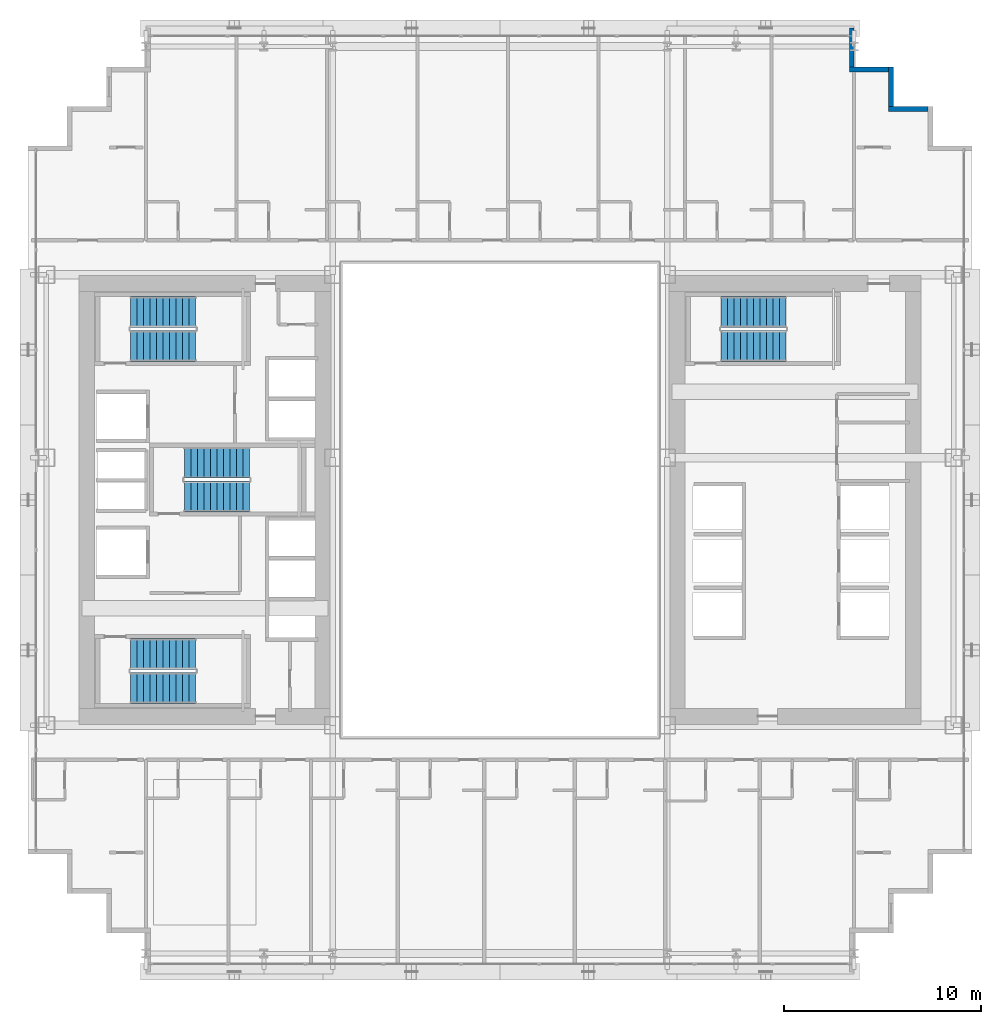
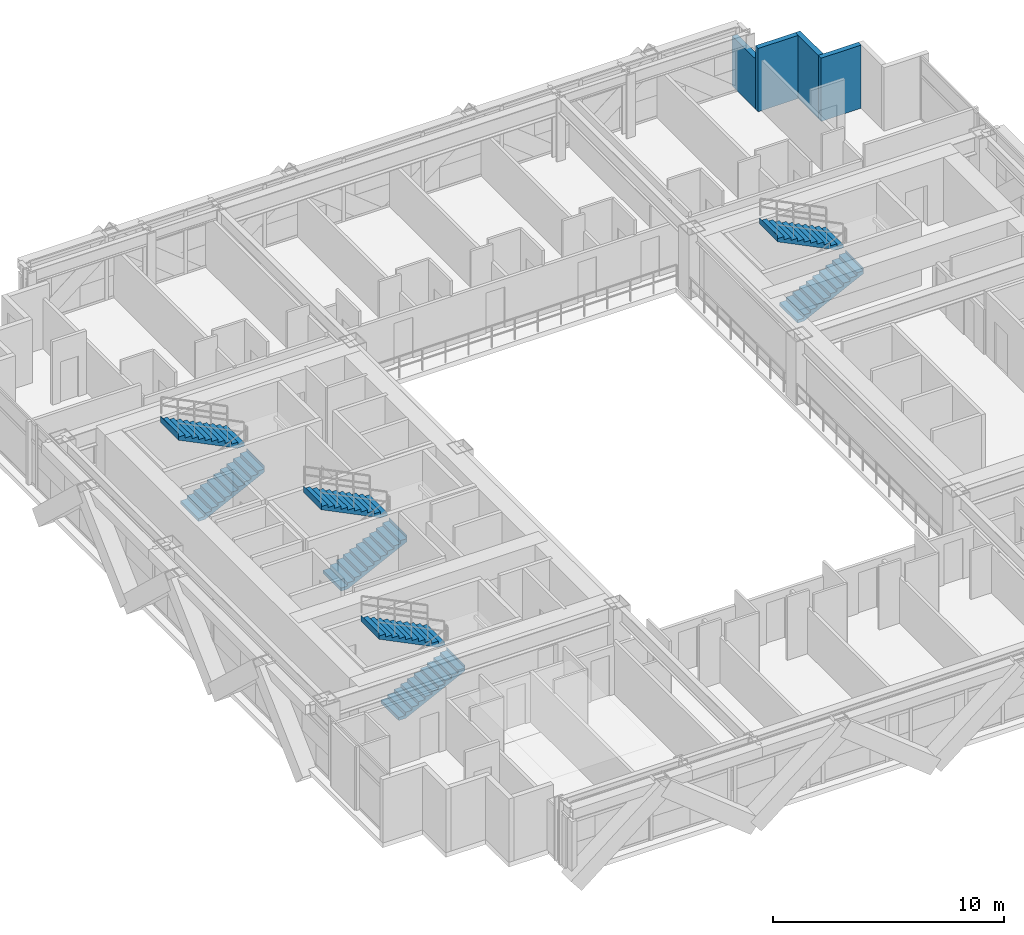
# One storey, part 32 of 36: 8 stair flights, 4 walls, 4 elements without a shape of their own.
"""IFC4 building model written with IfcOpenShell, lengths in metres."""

from ifc_helpers import new_model, si_unit, direction, frame, frame_2d, origin, place, context, subcontext, project, spatial, polyline, rectangle, outline, extrude, source, transform, mapped, material, layer, layer_set, type_object, element, aggregate, save


model = new_model("IFC4")

# Units and contexts
model_context = context("Model", 3, precision=1e-05, world=origin(), true_north=direction((0.0, 1.0)))
body_context = subcontext(model_context, "Body", "Model", "MODEL_VIEW")
ifc_project = project(units=[si_unit("LENGTHUNIT", "METRE"), si_unit("AREAUNIT", "SQUARE_METRE"), si_unit("VOLUMEUNIT", "CUBIC_METRE"), si_unit("PLANEANGLEUNIT", "RADIAN"), si_unit("MASSUNIT", "GRAM", prefix="KILO")], contexts=[model_context])

# Site, building, storey
site_placement = place(None, origin())
site = spatial("IfcSite", under=ifc_project, at=site_placement, CompositionType="ELEMENT")
building_placement = place(site_placement, origin())
building = spatial("IfcBuilding", under=site, at=building_placement, Name="Ocotamira Hotel", CompositionType="ELEMENT")
storey_placement = place(building_placement, frame((0.0, 0.0, 42.0)))
storey = spatial("IfcBuildingStorey", under=building, at=storey_placement, Name="L09", CompositionType="ELEMENT", Elevation=42.0)

# Walls
ifc_material_1 = material(Name="Precast concrete C45/55", Category="concrete")
ifc_layer = layer(ifc_material_1, 0.25)
ifc_layer_set = layer_set([ifc_layer], Name="Precast concrete C45/55")
wall_type = type_object("IfcWallType", Name="WL-EXT-SER-250", PredefinedType="SOLIDWALL", material=ifc_layer_set)
for number, where, z_axis, x_axis, name in (
    (1, (53.75, 45.875, 0.0), (0.0, 0.0, 1.0), (-1.0, 0.0, 0.0), "L09 Serrated Corner Wall 09"),
    (2, (51.875, 46.0, 0.0), (0.0, 0.0, 1.0), (0.0, 1.0, 0.0), "L09 Serrated Corner Wall 10"),
    (3, (51.75, 47.875, 0.0), (0.0, 0.0, 1.0), (-1.0, 0.0, 0.0), "L09 Serrated Corner Wall 11"),
):
    element("IfcWall", number, at=place(storey_placement, frame(where, z_axis=z_axis, x_axis=x_axis)), inside=storey, type_object=wall_type, Name=name, PredefinedType="SOLIDWALL", context=body_context, shape_type="SweptSolid", body=[
        extrude(rectangle(XDim=2.0, YDim=0.25, at=frame_2d((1.0, 0.0))), origin(), (0.0, 0.0, 1.0), 3.35009765625),
    ])
wall_placement = place(storey_placement, frame((49.875, 48.0, 0.0), z_axis=(0.0, 0.0, 1.0), x_axis=(0.0, 1.0, 0.0)))
element("IfcWall", 4, at=wall_placement, inside=storey, type_object=wall_type, Name="L09 Serrated Corner Wall 12", PredefinedType="SOLIDWALL", context=body_context, shape_type="SweptSolid", body=[
    extrude(rectangle(XDim=2.0, YDim=0.25, at=frame_2d((1.0, 0.0))), origin(), (0.0, 0.0, 1.0), 2.656982421875),
])

# Stair, stair flights
ifc_material_2 = material(Name="Concrete C40/50", Category="concrete")
stair_type = type_object("IfcStairType", Name="ST-CORE-1560", PredefinedType="HALF_TURN_STAIR", material=ifc_material_2)
stair_1_placement = place(storey_placement, origin())
stair_1 = element("IfcStair", 5, at=stair_1_placement, inside=storey, type_object=stair_type, Name="L09 Exit Stair ST-1", PredefinedType="HALF_TURN_STAIR")
stair_flight_type = type_object("IfcStairFlightType", Name="STF-CORE-1560", PredefinedType="STRAIGHT", material=ifc_material_2)
shared_shape = source(origin(), body_context, "Body", "SweptSolid", [
    extrude(outline(polyline([(-0.00390625, 0.0), (-0.00390625, 0.16357421875), (0.330078125, 0.16357421875), (0.330078125, 0.327392578125), (0.659912109375, 0.327392578125), (0.659912109375, 0.490966796875), (0.989990234375, 0.490966796875), (0.989990234375, 0.654541015625), (1.320068359375, 0.654541015625), (1.320068359375, 0.818115234375), (1.64990234375, 0.818115234375), (1.64990234375, 0.98193359375), (1.97998046875, 0.98193359375), (1.97998046875, 1.1455078125), (2.31005859375, 1.1455078125), (2.31005859375, 1.30908203125), (2.639892578125, 1.30908203125), (2.639892578125, 1.47265625), (2.969970703125, 1.47265625), (2.969970703125, 1.636474609375), (3.300048828125, 1.636474609375), (3.300048828125, 1.800048828125), (3.303955078125, 1.800048828125), (3.303955078125, 1.468994140625), (0.33740234375, 0.0), (-0.00390625, 0.0)])), frame((0.0, 0.780029296875, 0.0), z_axis=(0.0, -1.0, 0.0), x_axis=(1.0, 0.0, 0.0)), (0.0, 0.0, 1.0), 1.56005859375),
])
stair_flight_1_placement = place(storey_placement, frame((13.22998046875, 16.449951171875, 0.0), z_axis=(0.0, 0.0, 1.0), x_axis=(1.0, 0.0, 0.0)))
stair_flight_1 = element("IfcStairFlight", 6, at=stair_flight_1_placement, type_object=stair_flight_type, Name="ST-1 flight 1", NumberOfRisers=11, NumberOfTreads=10, PredefinedType="STRAIGHT", RiserHeight=0.163636364, TreadLength=0.33, context=body_context, shape_type="MappedRepresentation", body=[
    mapped(shared_shape, transform((0.0, 0.0, 0.0), scale=1.0)),
])
stair_flight_2_placement = place(storey_placement, frame((16.530029296875, 18.169921875, 1.800048828125), z_axis=(0.0, 0.0, 1.0), x_axis=(-1.0, 0.0, 0.0)))
stair_flight_2 = element("IfcStairFlight", 7, at=stair_flight_2_placement, type_object=stair_flight_type, Name="ST-1 flight 2", NumberOfRisers=11, NumberOfTreads=10, PredefinedType="STRAIGHT", RiserHeight=0.163636364, TreadLength=0.33, context=body_context, shape_type="MappedRepresentation", body=[
    mapped(shared_shape, transform((0.0, 0.0, 0.0), scale=1.0)),
])
aggregate(stair_1, [stair_flight_1, stair_flight_2])

stair_2_placement = place(storey_placement, origin())
stair_2 = element("IfcStair", 8, at=stair_2_placement, inside=storey, type_object=stair_type, Name="L09 Exit Stair ST-2", PredefinedType="HALF_TURN_STAIR")
stair_flight_3_placement = place(storey_placement, frame((13.22998046875, 33.830078125, 0.0), z_axis=(0.0, 0.0, 1.0), x_axis=(1.0, 0.0, 0.0)))
stair_flight_3 = element("IfcStairFlight", 9, at=stair_flight_3_placement, type_object=stair_flight_type, Name="ST-2 flight 1", NumberOfRisers=11, NumberOfTreads=10, PredefinedType="STRAIGHT", RiserHeight=0.163636364, TreadLength=0.33, context=body_context, shape_type="MappedRepresentation", body=[
    mapped(shared_shape, transform((0.0, 0.0, 0.0), scale=1.0)),
])
stair_flight_4_placement = place(storey_placement, frame((16.530029296875, 35.550048828125, 1.800048828125), z_axis=(0.0, 0.0, 1.0), x_axis=(-1.0, 0.0, 0.0)))
stair_flight_4 = element("IfcStairFlight", 10, at=stair_flight_4_placement, type_object=stair_flight_type, Name="ST-2 flight 2", NumberOfRisers=11, NumberOfTreads=10, PredefinedType="STRAIGHT", RiserHeight=0.163636364, TreadLength=0.33, context=body_context, shape_type="MappedRepresentation", body=[
    mapped(shared_shape, transform((0.0, 0.0, 0.0), scale=1.0)),
])
aggregate(stair_2, [stair_flight_3, stair_flight_4])

stair_3_placement = place(storey_placement, origin())
stair_3 = element("IfcStair", 11, at=stair_3_placement, inside=storey, type_object=stair_type, Name="L09 Exit Stair ST-3", PredefinedType="HALF_TURN_STAIR")
stair_flight_5_placement = place(storey_placement, frame((15.9599609375, 26.179931640625, 0.0), z_axis=(0.0, 0.0, 1.0), x_axis=(1.0, 0.0, 0.0)))
stair_flight_5 = element("IfcStairFlight", 12, at=stair_flight_5_placement, type_object=stair_flight_type, Name="ST-3 flight 1", NumberOfRisers=11, NumberOfTreads=10, PredefinedType="STRAIGHT", RiserHeight=0.163636364, TreadLength=0.33, context=body_context, shape_type="MappedRepresentation", body=[
    mapped(shared_shape, transform((0.0, 0.0, 0.0), scale=1.0)),
])
stair_flight_6_placement = place(storey_placement, frame((19.260009765625, 27.89990234375, 1.800048828125), z_axis=(0.0, 0.0, 1.0), x_axis=(-1.0, 0.0, 0.0)))
stair_flight_6 = element("IfcStairFlight", 13, at=stair_flight_6_placement, type_object=stair_flight_type, Name="ST-3 flight 2", NumberOfRisers=11, NumberOfTreads=10, PredefinedType="STRAIGHT", RiserHeight=0.163636364, TreadLength=0.33, context=body_context, shape_type="MappedRepresentation", body=[
    mapped(shared_shape, transform((0.0, 0.0, 0.0), scale=1.0)),
])
aggregate(stair_3, [stair_flight_5, stair_flight_6])

stair_4_placement = place(storey_placement, origin())
stair_4 = element("IfcStair", 14, at=stair_4_placement, inside=storey, type_object=stair_type, Name="L09 Exit Stair ST-4", PredefinedType="HALF_TURN_STAIR")
stair_flight_7_placement = place(storey_placement, frame((43.22998046875, 33.830078125, 0.0), z_axis=(0.0, 0.0, 1.0), x_axis=(1.0, 0.0, 0.0)))
stair_flight_7 = element("IfcStairFlight", 15, at=stair_flight_7_placement, type_object=stair_flight_type, Name="ST-4 flight 1", NumberOfRisers=11, NumberOfTreads=10, PredefinedType="STRAIGHT", RiserHeight=0.163636364, TreadLength=0.33, context=body_context, shape_type="MappedRepresentation", body=[
    mapped(shared_shape, transform((0.0, 0.0, 0.0), scale=1.0)),
])
stair_flight_8_placement = place(storey_placement, frame((46.530029296875, 35.550048828125, 1.800048828125), z_axis=(0.0, 0.0, 1.0), x_axis=(-1.0, 0.0, 0.0)))
stair_flight_8 = element("IfcStairFlight", 16, at=stair_flight_8_placement, type_object=stair_flight_type, Name="ST-4 flight 2", NumberOfRisers=11, NumberOfTreads=10, PredefinedType="STRAIGHT", RiserHeight=0.163636364, TreadLength=0.33, context=body_context, shape_type="MappedRepresentation", body=[
    mapped(shared_shape, transform((0.0, 0.0, 0.0), scale=1.0)),
])
aggregate(stair_4, [stair_flight_7, stair_flight_8])

save(model, "model.ifc")
